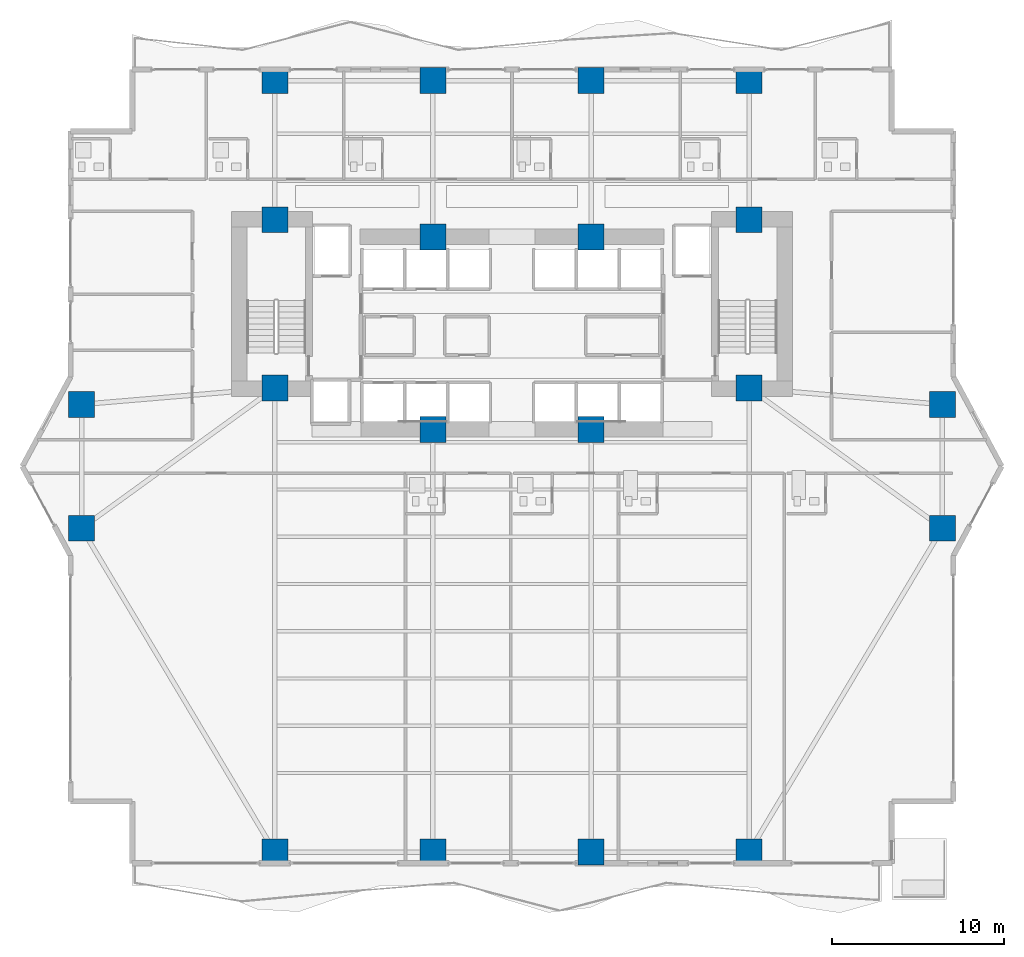
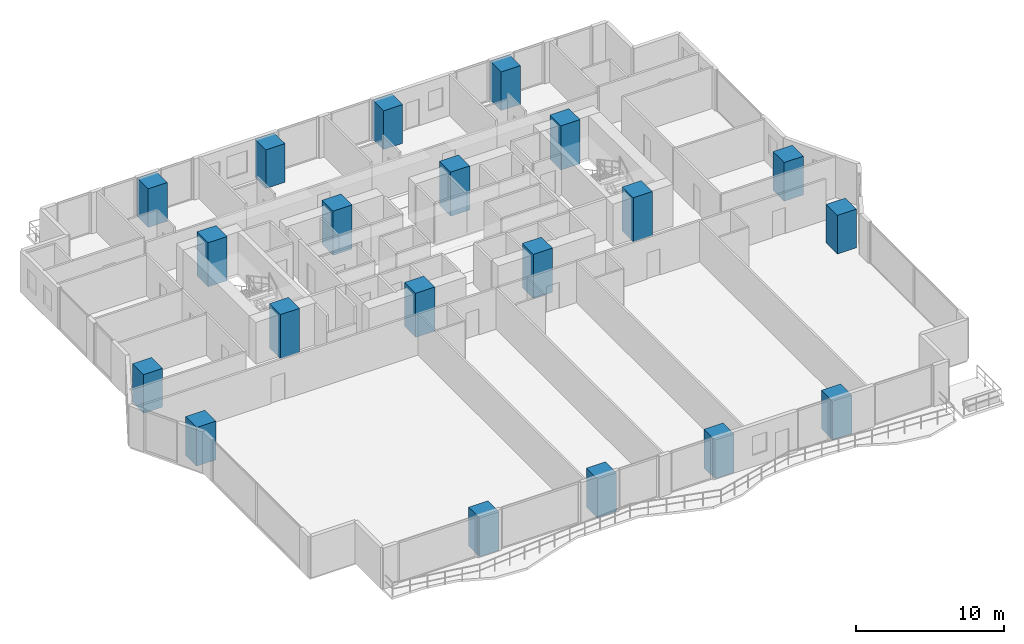
# One storey, part 1 of 30: 20 columns.
"""IFC4 building model written with IfcOpenShell, lengths in metres."""

from ifc_helpers import new_model, si_unit, direction, frame, origin, origin_2d, place, context, subcontext, project, spatial, rectangle, extrude, material, material_profile, profile_set, type_object, element, save


model = new_model("IFC4")

# Units and contexts
model_context = context("Model", 3, precision=1e-05, world=origin(), true_north=direction((0.0, 1.0)))
body_context = subcontext(model_context, "Body", "Model", "MODEL_VIEW")
ifc_project = project(units=[si_unit("LENGTHUNIT", "METRE"), si_unit("AREAUNIT", "SQUARE_METRE"), si_unit("VOLUMEUNIT", "CUBIC_METRE"), si_unit("PLANEANGLEUNIT", "RADIAN"), si_unit("MASSUNIT", "GRAM", prefix="KILO")], contexts=[model_context])

# Site, building, storey
site_placement = place(None, origin())
site = spatial("IfcSite", under=ifc_project, at=site_placement, CompositionType="ELEMENT")
building_placement = place(site_placement, origin())
building = spatial("IfcBuilding", under=site, at=building_placement, Name="Zuhayl Quay Hotel", CompositionType="ELEMENT")
storey_placement = place(building_placement, frame((0.0, 0.0, 86.0)))
storey = spatial("IfcBuildingStorey", under=building, at=storey_placement, Name="L21", CompositionType="ELEMENT", Elevation=86.0)

# Columns
ifc_material = material(Name="Concrete C70/85", Category="concrete")
ifc_material_profile_1 = material_profile(ifc_material, rectangle(XDim=1.5, YDim=1.5, at=origin_2d()), Name="RC1500X1500")
ifc_profile_set_1 = profile_set([ifc_material_profile_1], Name="Concrete C70/85")
column_type_1 = type_object("IfcColumnType", Name="CL_CC1_1500", PredefinedType="COLUMN", material=ifc_profile_set_1)
for number, where, z_axis, x_axis, name in (
    (1, (-13.800048828125, 14.35009765625, 0.0), (0.0, 0.0, 1.0), (1.0, 0.0, 0.0), "L21 Core Column CC_NW"),
    (2, (-4.60009765625, 13.35009765625, 0.0), (0.0, 0.0, 1.0), (1.0, 0.0, 0.0), "L21 Core Column CC_CNW"),
    (3, (4.60009765625, 13.35009765625, 0.0), (0.0, 0.0, 1.0), (1.0, 0.0, 0.0), "L21 Core Column CC_CNE"),
    (4, (13.800048828125, 14.35009765625, 0.0), (0.0, 0.0, 1.0), (1.0, 0.0, 0.0), "L21 Core Column CC_NE"),
    (5, (-13.800048828125, 4.550048828125, 0.0), (0.0, 0.0, 1.0), (1.0, 0.0, 0.0), "L21 Core Column CC_SW"),
    (6, (-4.60009765625, 2.14990234375, 0.0), (0.0, 0.0, 1.0), (1.0, 0.0, 0.0), "L21 Core Column CC_CSW"),
    (7, (4.60009765625, 2.14990234375, 0.0), (0.0, 0.0, 1.0), (1.0, 0.0, 0.0), "L21 Core Column CC_CSE"),
    (8, (13.800048828125, 4.550048828125, 0.0), (0.0, 0.0, 1.0), (1.0, 0.0, 0.0), "L21 Core Column CC_SE"),
):
    element("IfcColumn", number, at=place(storey_placement, frame(where, z_axis=z_axis, x_axis=x_axis)), inside=storey, type_object=column_type_1, Name=name, PredefinedType="COLUMN", context=body_context, shape_type="SweptSolid", body=[
        extrude(rectangle(XDim=1.5, YDim=1.5, at=origin_2d()), origin(), (0.0, 0.0, 1.0), 3.64990234375),
    ])
ifc_material_profile_2 = material_profile(ifc_material, rectangle(XDim=1.5, YDim=1.5, at=origin_2d()), Name="RC1500X1500")
ifc_profile_set_2 = profile_set([ifc_material_profile_2], Name="Concrete C70/85")
column_type_2 = type_object("IfcColumnType", Name="CL_MC1_1500", PredefinedType="COLUMN", material=ifc_profile_set_2)
for number, where, z_axis, x_axis, name in (
    (9, (-13.800048828125, -22.449951171875, 0.0), (0.0, 0.0, 1.0), (1.0, 0.0, 0.0), "L21 Mega-Column MC_S1"),
    (10, (-4.60009765625, -22.449951171875, 0.0), (0.0, 0.0, 1.0), (1.0, 0.0, 0.0), "L21 Mega-Column MC_S2"),
    (11, (4.60009765625, -22.449951171875, 0.0), (0.0, 0.0, 1.0), (1.0, 0.0, 0.0), "L21 Mega-Column MC_S3"),
    (12, (13.800048828125, -22.449951171875, 0.0), (0.0, 0.0, 1.0), (1.0, 0.0, 0.0), "L21 Mega-Column MC_S4"),
    (13, (-13.800048828125, 22.449951171875, 0.0), (0.0, 0.0, 1.0), (1.0, 0.0, 0.0), "L21 Mega-Column MC_N1"),
    (14, (-4.60009765625, 22.449951171875, 0.0), (0.0, 0.0, 1.0), (1.0, 0.0, 0.0), "L21 Mega-Column MC_N2"),
    (15, (4.60009765625, 22.449951171875, 0.0), (0.0, 0.0, 1.0), (1.0, 0.0, 0.0), "L21 Mega-Column MC_N3"),
    (16, (13.800048828125, 22.449951171875, 0.0), (0.0, 0.0, 1.0), (1.0, 0.0, 0.0), "L21 Mega-Column MC_N4"),
    (17, (-25.050048828125, -3.60009765625, 0.0), (0.0, 0.0, 1.0), (1.0, 0.0, 0.0), "L21 Mega-Column MC_W1"),
    (18, (-25.050048828125, 3.60009765625, 0.0), (0.0, 0.0, 1.0), (1.0, 0.0, 0.0), "L21 Mega-Column MC_W2"),
    (19, (25.050048828125, -3.60009765625, 0.0), (0.0, 0.0, 1.0), (1.0, 0.0, 0.0), "L21 Mega-Column MC_E1"),
    (20, (25.050048828125, 3.60009765625, 0.0), (0.0, 0.0, 1.0), (1.0, 0.0, 0.0), "L21 Mega-Column MC_E2"),
):
    element("IfcColumn", number, at=place(storey_placement, frame(where, z_axis=z_axis, x_axis=x_axis)), inside=storey, type_object=column_type_2, Name=name, PredefinedType="COLUMN", context=body_context, shape_type="SweptSolid", body=[
        extrude(rectangle(XDim=1.5, YDim=1.5, at=origin_2d()), origin(), (0.0, 0.0, 1.0), 3.199951171875),
    ])

save(model, "model.ifc")
